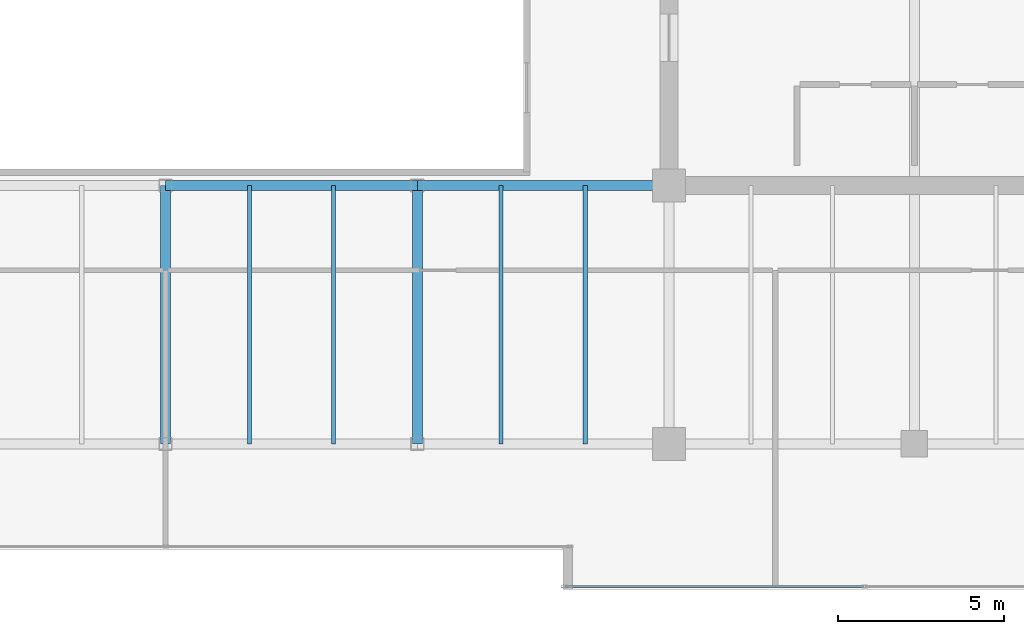
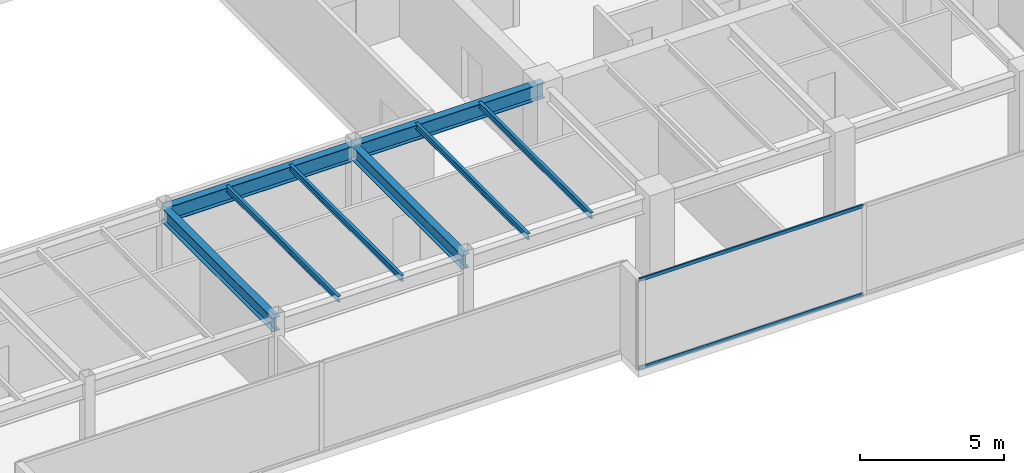
# One storey, part 12 of 33: 8 beams, 2 members, 1 element without a shape of its own.
"""IFC4 building model written with IfcOpenShell, lengths in metres."""

from ifc_helpers import new_model, si_unit, direction, frame, origin, origin_2d, place, context, subcontext, project, spatial, hollow_rectangle, i_section, extrude, source, transform, mapped, material, layer, layer_set, material_profile, profile_set, type_object, type_shapes, element, aggregate, save


model = new_model("IFC4")

# Units and contexts
model_context = context("Model", 3, precision=1e-05, world=origin(), true_north=direction((0.0, 1.0)))
body_context = subcontext(model_context, "Body", "Model", "MODEL_VIEW")
ifc_project = project(units=[si_unit("LENGTHUNIT", "METRE"), si_unit("AREAUNIT", "SQUARE_METRE"), si_unit("VOLUMEUNIT", "CUBIC_METRE"), si_unit("PLANEANGLEUNIT", "RADIAN"), si_unit("MASSUNIT", "GRAM", prefix="KILO")], contexts=[model_context])

# Site, building, storey
site_placement = place(None, origin())
site = spatial("IfcSite", under=ifc_project, at=site_placement, CompositionType="ELEMENT")
building_placement = place(site_placement, origin())
building = spatial("IfcBuilding", under=site, at=building_placement, Name="Haelvirn Gate Laboratories", CompositionType="ELEMENT")
storey_placement = place(building_placement, frame((0.0, 0.0, 258.800048828125)))
storey = spatial("IfcBuildingStorey", under=building, at=storey_placement, Name="L62", CompositionType="ELEMENT", Elevation=258.800048828125)

# Beams
ifc_material_1 = material(Name="Steel SM355", Category="steel")
ifc_material_profile_1 = material_profile(ifc_material_1, i_section(OverallWidth=0.300048828125, OverallDepth=0.587890625, WebThickness=0.011962890625, FlangeThickness=0.02001953125, at=origin_2d()), Name="H-588x300x12x20")
ifc_profile_set_1 = profile_set([ifc_material_profile_1], Name="Steel SM355")
beam_type_1 = type_object("IfcBeamType", Name="BM-G-588", PredefinedType="BEAM", material=ifc_profile_set_1)
shared_shape_1 = source(origin(), body_context, "Body", "SweptSolid", [
    extrude(i_section(OverallWidth=0.300048828125, OverallDepth=0.587890625, WebThickness=0.011962890625, FlangeThickness=0.02001953125, at=origin_2d()), origin(), (0.0, 0.0, 1.0), 7.800048828125),
])
type_shapes(beam_type_1, [shared_shape_1])
for number, where, z_axis, x_axis, name in (
    (1, (37.39990234375, 7.0, 3.505859375), (0.0, 1.0, 0.0), (-1.0, 0.0, 0.0), "L62 Frame Girder X37.4 (7.0-14.8)"),
    (2, (45.0, 7.0, 3.505859375), (0.0, 1.0, 0.0), (-1.0, 0.0, 0.0), "L62 Frame Girder X45.0 (7.0-14.8)"),
):
    element("IfcBeam", number, at=place(storey_placement, frame(where, z_axis=z_axis, x_axis=x_axis)), inside=storey, type_object=beam_type_1, Name=name, PredefinedType="BEAM", context=body_context, shape_type="MappedRepresentation", body=[
        mapped(shared_shape_1, transform((0.0, 0.0, 0.0), scale=1.0)),
    ])
ifc_material_profile_2 = material_profile(ifc_material_1, i_section(OverallWidth=0.300048828125, OverallDepth=0.64990234375, WebThickness=0.012939453125, FlangeThickness=0.02197265625, at=origin_2d()), Name="H-650x300x13x22")
ifc_profile_set_2 = profile_set([ifc_material_profile_2], Name="Steel SM355")
beam_type_2 = type_object("IfcBeamType", Name="BM-G-650", PredefinedType="BEAM", material=ifc_profile_set_2)
shared_shape_2 = source(origin(), body_context, "Body", "SweptSolid", [
    extrude(i_section(OverallWidth=0.300048828125, OverallDepth=0.64990234375, WebThickness=0.012939453125, FlangeThickness=0.02197265625, at=origin_2d()), origin(), (0.0, 0.0, 1.0), 7.60009765625),
])
type_shapes(beam_type_2, [shared_shape_2])
for number, where, z_axis, x_axis, name in (
    (3, (37.39990234375, 14.800048828125, 3.474853515625), (1.0, 0.0, 0.0), (0.0, 1.0, 0.0), "L62 Primary Girder Y14.8 (37.4-45.0)"),
    (4, (45.0, 14.800048828125, 3.474853515625), (1.0, 0.0, 0.0), (0.0, 1.0, 0.0), "L62 Primary Girder Y14.8 (45.0-52.6)"),
):
    element("IfcBeam", number, at=place(storey_placement, frame(where, z_axis=z_axis, x_axis=x_axis)), inside=storey, type_object=beam_type_2, Name=name, PredefinedType="BEAM", context=body_context, shape_type="MappedRepresentation", body=[
        mapped(shared_shape_2, transform((0.0, 0.0, 0.0), scale=1.0)),
    ])
ifc_material_profile_3 = material_profile(ifc_material_1, i_section(OverallWidth=0.125, OverallDepth=0.25, WebThickness=0.006103515625, FlangeThickness=0.009033203125, at=origin_2d()), Name="H-250x125x6x9")
ifc_profile_set_3 = profile_set([ifc_material_profile_3], Name="Steel SM355")
beam_type_3 = type_object("IfcBeamType", Name="BM-J-250", PredefinedType="JOIST", material=ifc_profile_set_3)
shared_shape_3 = source(origin(), body_context, "Body", "SweptSolid", [
    extrude(i_section(OverallWidth=0.125, OverallDepth=0.25, WebThickness=0.006103515625, FlangeThickness=0.009033203125, at=origin_2d()), origin(), (0.0, 0.0, 1.0), 7.800048828125),
])
type_shapes(beam_type_3, [shared_shape_3])
for number, where, z_axis, x_axis, name in (
    (5, (39.929931640625, 7.0, 3.675048828125), (0.0, 1.0, 0.0), (-1.0, 0.0, 0.0), "L62 Composite Lab Joist South X39.93"),
    (6, (42.469970703125, 7.0, 3.675048828125), (0.0, 1.0, 0.0), (-1.0, 0.0, 0.0), "L62 Composite Lab Joist South X42.47"),
    (7, (47.530029296875, 7.0, 3.675048828125), (0.0, 1.0, 0.0), (-1.0, 0.0, 0.0), "L62 Composite Lab Joist South X47.53"),
    (8, (50.070068359375, 7.0, 3.675048828125), (0.0, 1.0, 0.0), (-1.0, 0.0, 0.0), "L62 Composite Lab Joist South X50.07"),
):
    element("IfcBeam", number, at=place(storey_placement, frame(where, z_axis=z_axis, x_axis=x_axis)), inside=storey, type_object=beam_type_3, Name=name, PredefinedType="JOIST", context=body_context, shape_type="MappedRepresentation", body=[
        mapped(shared_shape_3, transform((0.0, 0.0, 0.0), scale=1.0)),
    ])

# Curtain wall, members
ifc_material_2 = material(Name="Anodised bronze unitised aluminium & triple low-E glass", Category="aluminium")
ifc_layer = layer(ifc_material_2, 0.176025390625, Name="CW-SYS-4")
ifc_layer_set = layer_set([ifc_layer], Name="Anodised bronze unitised aluminium & triple low-E glass")
curtain_wall_type = type_object("IfcCurtainWallType", Name="CW-SYS-4", PredefinedType="NOTDEFINED", material=ifc_layer_set)
curtain_wall_placement = place(storey_placement, origin())
curtain_wall = element("IfcCurtainWall", 9, at=curtain_wall_placement, inside=storey, type_object=curtain_wall_type, Name="L62 Unitised Curtain Wall CW-L62-P0-E04-1", PredefinedType="NOTDEFINED")
ifc_material_3 = material(Name="Extruded aluminium 6063-T6 (anodised bronze)", Category="aluminium")
ifc_material_profile_4 = material_profile(ifc_material_3, hollow_rectangle(XDim=0.06494140625, YDim=0.139892578125, WallThickness=0.00390625, at=origin_2d()), Name="CWT-140x65x4")
ifc_profile_set_4 = profile_set([ifc_material_profile_4], Name="Extruded aluminium 6063-T6 (anodised bronze)")
member_type = type_object("IfcMemberType", Name="CWT-T140", PredefinedType="USERDEFINED", material=ifc_profile_set_4)
shared_shape_4 = source(origin(), body_context, "Body", "SweptSolid", [
    extrude(hollow_rectangle(XDim=0.06494140625, YDim=0.139892578125, WallThickness=0.00390625, at=origin_2d()), origin(), (0.0, 0.0, 1.0), 8.9951171875),
])
type_shapes(member_type, [shared_shape_4])
member_1_placement = place(storey_placement, frame((49.469970703125, 2.699951171875, 0.032470703125), z_axis=(1.0, 0.0, 0.0), x_axis=(0.0, 1.0, 0.0)))
member_1 = element("IfcMember", 10, at=member_1_placement, type_object=member_type, Name="CW4 transom 1.1", ObjectType="TRANSOM", PredefinedType="USERDEFINED", context=body_context, shape_type="MappedRepresentation", body=[
    mapped(shared_shape_4, transform((0.0, 0.0, 0.0), scale=1.0)),
])
member_2_placement = place(storey_placement, frame((49.469970703125, 2.699951171875, 3.767333984375), z_axis=(1.0, 0.0, 0.0), x_axis=(0.0, 1.0, 0.0)))
member_2 = element("IfcMember", 11, at=member_2_placement, type_object=member_type, Name="CW4 transom 1.2", ObjectType="TRANSOM", PredefinedType="USERDEFINED", context=body_context, shape_type="MappedRepresentation", body=[
    mapped(shared_shape_4, transform((0.0, 0.0, 0.0), scale=1.0)),
])
aggregate(curtain_wall, [member_1, member_2])

save(model, "model.ifc")
